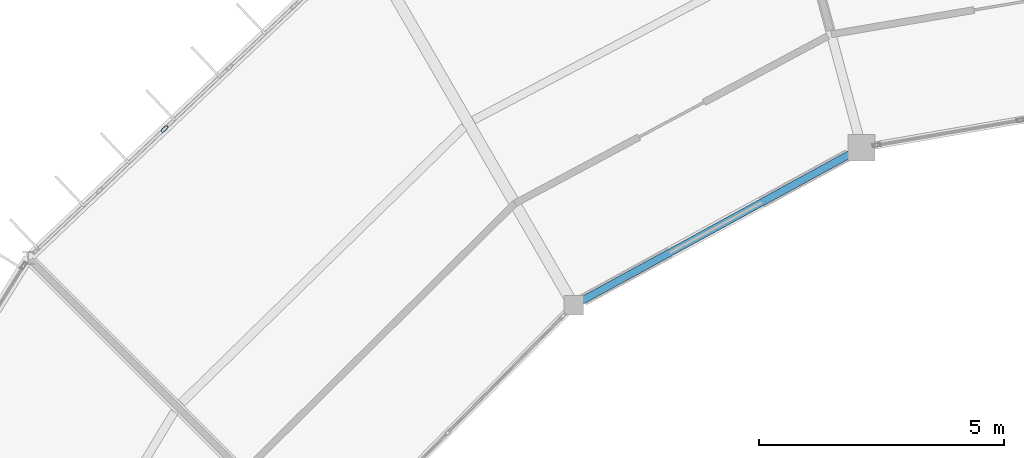
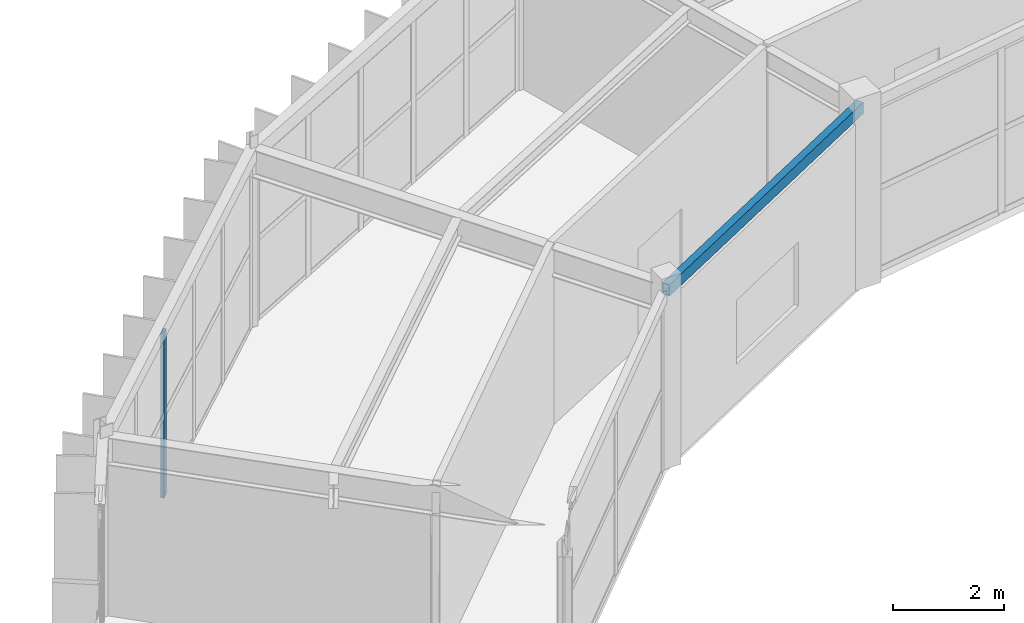
# One storey, part 67 of 130: 1 beam, 1 member, 1 element without a shape of its own.
"""IFC4 building model written with IfcOpenShell, lengths in metres."""

from ifc_helpers import new_model, si_unit, direction, frame, origin, origin_2d, place, context, subcontext, project, spatial, hollow_rectangle, extrude, material, material_profile, profile_set, type_object, element, aggregate, save


model = new_model("IFC4")

# Units and contexts
model_context = context("Model", 3, precision=1e-05, world=origin(), true_north=direction((0.0, 1.0)))
body_context = subcontext(model_context, "Body", "Model", "MODEL_VIEW")
ifc_project = project(units=[si_unit("LENGTHUNIT", "METRE"), si_unit("AREAUNIT", "SQUARE_METRE"), si_unit("VOLUMEUNIT", "CUBIC_METRE"), si_unit("PLANEANGLEUNIT", "RADIAN"), si_unit("MASSUNIT", "GRAM", prefix="KILO")], contexts=[model_context])

# Site, building, storey
site_placement = place(None, origin())
site = spatial("IfcSite", under=ifc_project, at=site_placement, CompositionType="ELEMENT")
building_placement = place(site_placement, origin())
building = spatial("IfcBuilding", under=site, at=building_placement, Name="Karori Crest Natural Sciences Institute", CompositionType="ELEMENT")
storey_placement = place(building_placement, frame((0.0, 0.0, 17.5)))
storey = spatial("IfcBuildingStorey", under=building, at=storey_placement, Name="L04", CompositionType="ELEMENT", Elevation=17.5)

# Beam
ifc_material_1 = material(Name="Hollow structural steel AS/NZS 1163 Grade C350", Category="steel")
ifc_material_profile_1 = material_profile(ifc_material_1, hollow_rectangle(XDim=0.14990234375, YDim=0.25, WallThickness=0.009033203125, at=origin_2d()), Name="RHS250x150x9")
ifc_profile_set_1 = profile_set([ifc_material_profile_1], Name="Hollow structural steel AS/NZS 1163 Grade C350")
beam_type = type_object("IfcBeamType", Name="BT-16", PredefinedType="SPANDREL", material=ifc_profile_set_1)
beam_placement = place(storey_placement, frame((60.084716796875, 81.002685546875, 3.7900390625), z_axis=(-0.877461157042, -0.479647701842, 0.0), x_axis=(0.479647701842, -0.877461157042, 0.0)))
element("IfcBeam", 1, at=beam_placement, inside=storey, type_object=beam_type, Name="Beam B-0478", PredefinedType="SPANDREL", context=body_context, shape_type="SweptSolid", body=[
    extrude(hollow_rectangle(XDim=0.14990234375, YDim=0.25, WallThickness=0.009033203125, at=origin_2d()), origin(), (0.0, 0.0, 1.0), 6.70654296875),
])

# Curtain wall, member
ifc_material_2 = material(Name="Anodised architectural aluminium 6063-T6", Category="aluminium")
curtain_wall_type = type_object("IfcCurtainWallType", Name="CWT-09", PredefinedType="NOTDEFINED", material=ifc_material_2)
curtain_wall_placement = place(storey_placement, origin())
curtain_wall = element("IfcCurtainWall", 2, at=curtain_wall_placement, inside=storey, type_object=curtain_wall_type, Name="Curtain wall CW-0148", PredefinedType="NOTDEFINED")
ifc_material_profile_2 = material_profile(ifc_material_2, hollow_rectangle(XDim=0.06494140625, YDim=0.159912109375, WallThickness=0.00390625, at=origin_2d()), Name="CWM160x65x4")
ifc_profile_set_2 = profile_set([ifc_material_profile_2], Name="Anodised architectural aluminium 6063-T6")
member_type = type_object("IfcMemberType", Name="CWM-01", PredefinedType="MULLION", material=ifc_profile_set_2)
member_placement = place(storey_placement, frame((45.844970703125, 81.386962890625, 0.0), z_axis=(0.0, 0.0, 1.0), x_axis=(-0.688250542104, 0.725473081026, 0.0)))
member = element("IfcMember", 3, at=member_placement, type_object=member_type, Name="CW-0148 mullion 3", PredefinedType="MULLION", context=body_context, shape_type="SweptSolid", body=[
    extrude(hollow_rectangle(XDim=0.06494140625, YDim=0.159912109375, WallThickness=0.00390625, at=origin_2d()), origin(), (0.0, 0.0, 1.0), 3.625),
])
aggregate(curtain_wall, [member])

save(model, "model.ifc")
